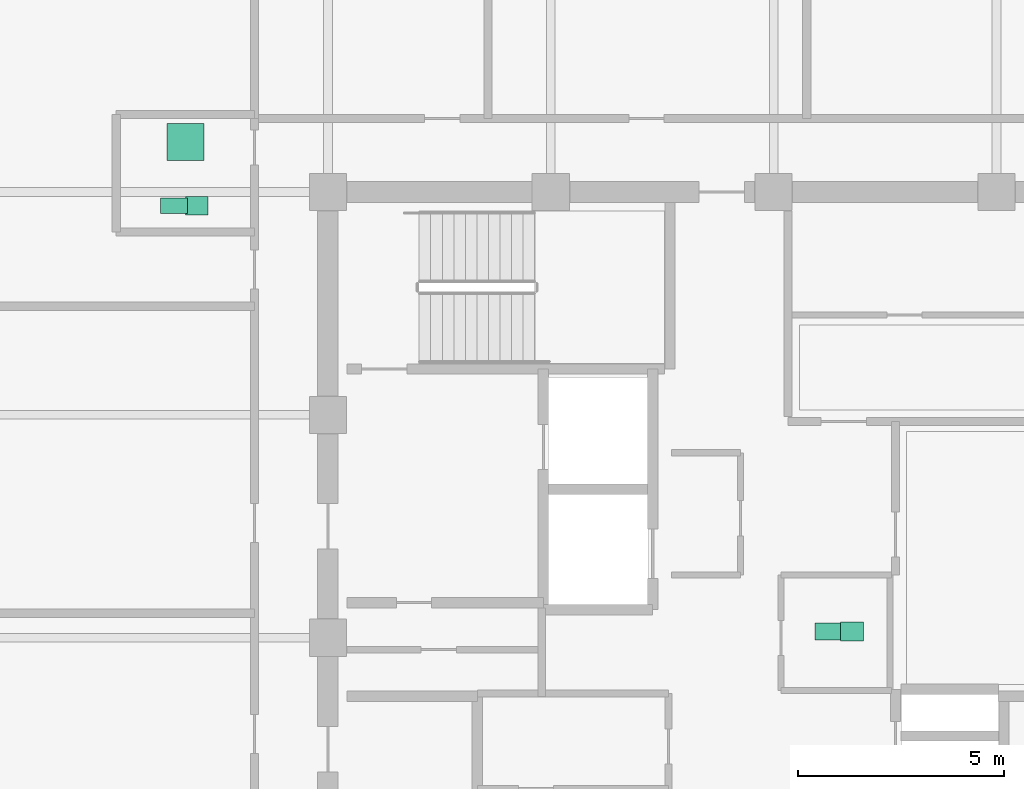
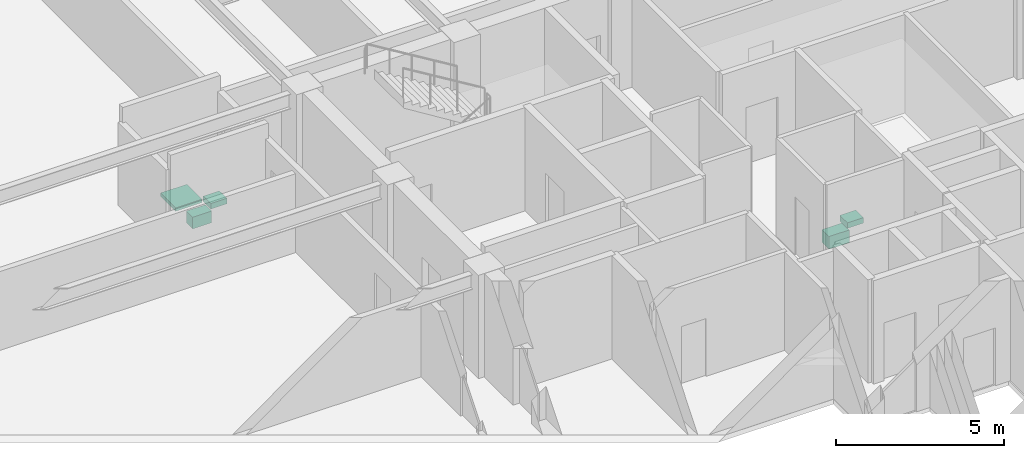
# One storey, part 29 of 29: 5 sanitary terminals.
"""IFC4 building model written with IfcOpenShell, lengths in metres."""

from ifc_helpers import new_model, si_unit, direction, frame, origin, origin_2d, place, context, subcontext, project, spatial, rectangle, extrude, material, type_object, element, save


model = new_model("IFC4")

# Units and contexts
model_context = context("Model", 3, precision=1e-05, world=origin(), true_north=direction((0.0, 1.0)))
body_context = subcontext(model_context, "Body", "Model", "MODEL_VIEW")
ifc_project = project(units=[si_unit("LENGTHUNIT", "METRE"), si_unit("AREAUNIT", "SQUARE_METRE"), si_unit("VOLUMEUNIT", "CUBIC_METRE"), si_unit("PLANEANGLEUNIT", "RADIAN"), si_unit("MASSUNIT", "GRAM", prefix="KILO")], contexts=[model_context])

# Site, building, storey
site_placement = place(None, origin())
site = spatial("IfcSite", under=ifc_project, at=site_placement, CompositionType="ELEMENT")
building_placement = place(site_placement, origin())
building = spatial("IfcBuilding", under=site, at=building_placement, Name="Surkhivell Harbour Commons", CompositionType="ELEMENT")
storey_placement = place(building_placement, frame((0.0, 0.0, 273.75)))
storey = spatial("IfcBuildingStorey", under=building, at=storey_placement, Name="L71", CompositionType="ELEMENT", Elevation=273.75)

# Sanitary terminals
ifc_material_1 = material(Name="Vitreous china washbasin", Category="other")
sanitary_terminal_type_1 = type_object("IfcSanitaryTerminalType", Name="SAN-BSN", PredefinedType="WASHHANDBASIN", material=ifc_material_1)
for number, where, z_axis, x_axis, name in (
    (1, (1.89990234375, 0.14990234375, 0.72021484375), (0.0, 0.0, 1.0), (1.0, 0.0, 0.0), "L71 Core Accessible WC Washbasin"),
    (2, (-13.97998046875, 10.469970703125, 0.72021484375), (0.0, 0.0, 1.0), (1.0, 0.0, 0.0), "L71 West Communal Bathroom WC Washbasin"),
):
    element("IfcSanitaryTerminal", number, at=place(storey_placement, frame(where, z_axis=z_axis, x_axis=x_axis)), inside=storey, type_object=sanitary_terminal_type_1, Name=name, PredefinedType="WASHHANDBASIN", context=body_context, shape_type="SweptSolid", body=[
        extrude(rectangle(XDim=0.550048828125, YDim=0.449951171875, at=origin_2d()), origin(), (0.0, 0.0, 1.0), 0.199951171875),
    ])
ifc_material_2 = material(Name="Glazed porcelain shower tray", Category="other")
sanitary_terminal_type_2 = type_object("IfcSanitaryTerminalType", Name="SAN-SHW", PredefinedType="SHOWER", material=ifc_material_2)
sanitary_terminal_1_placement = place(storey_placement, frame((-14.25, 12.010009765625, 0.0), z_axis=(0.0, 0.0, 1.0), x_axis=(1.0, 0.0, 0.0)))
element("IfcSanitaryTerminal", 3, at=sanitary_terminal_1_placement, inside=storey, type_object=sanitary_terminal_type_2, Name="L71 West Communal Shower Tray", PredefinedType="SHOWER", context=body_context, shape_type="SweptSolid", body=[
    extrude(rectangle(XDim=0.89990234375, YDim=0.89990234375, at=origin_2d()), origin(), (0.0, 0.0, 1.0), 0.1201171875),
])
ifc_material_3 = material(Name="Vitreous china sanitaryware", Category="other")
sanitary_terminal_type_3 = type_object("IfcSanitaryTerminalType", Name="SAN-WC-ACC", PredefinedType="TOILETPAN", material=ifc_material_3)
sanitary_terminal_2_placement = place(storey_placement, frame((1.35009765625, 0.14990234375, 0.169921875), z_axis=(0.0, 0.0, 1.0), x_axis=(1.0, 0.0, 0.0)))
element("IfcSanitaryTerminal", 4, at=sanitary_terminal_2_placement, inside=storey, type_object=sanitary_terminal_type_3, Name="L71 Core Accessible WC", PredefinedType="TOILETPAN", context=body_context, shape_type="SweptSolid", body=[
    extrude(rectangle(XDim=0.699951171875, YDim=0.419921875, at=origin_2d()), origin(), (0.0, 0.0, 1.0), 0.4599609375),
])
sanitary_terminal_type_4 = type_object("IfcSanitaryTerminalType", Name="SAN-WC-STD", PredefinedType="TOILETPAN", material=ifc_material_3)
sanitary_terminal_3_placement = place(storey_placement, frame((-14.530029296875, 10.469970703125, 0.18994140625), z_axis=(0.0, 0.0, 1.0), x_axis=(1.0, 0.0, 0.0)))
element("IfcSanitaryTerminal", 5, at=sanitary_terminal_3_placement, inside=storey, type_object=sanitary_terminal_type_4, Name="L71 West Communal Bathroom WC", PredefinedType="TOILETPAN", context=body_context, shape_type="SweptSolid", body=[
    extrude(rectangle(XDim=0.64990234375, YDim=0.3798828125, at=origin_2d()), origin(), (0.0, 0.0, 1.0), 0.419921875),
])

save(model, "model.ifc")
